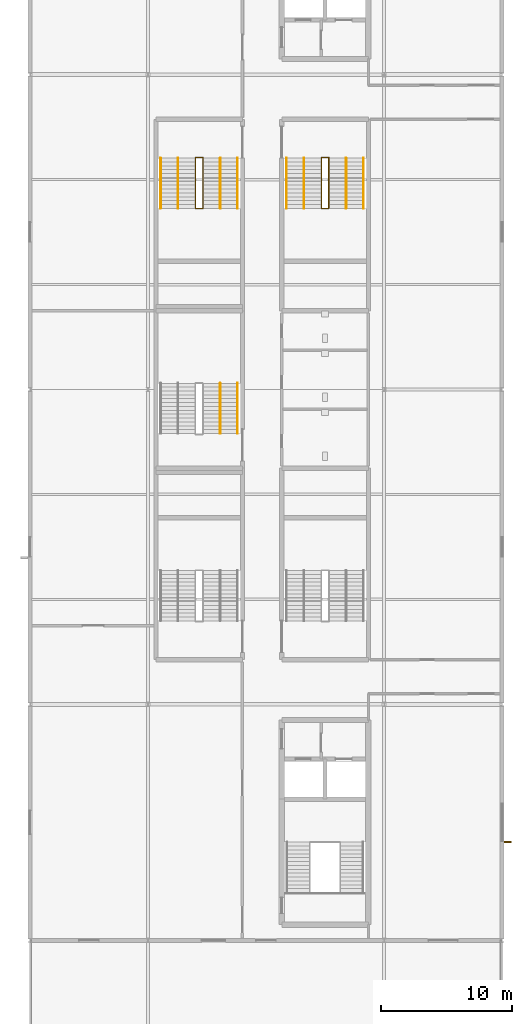
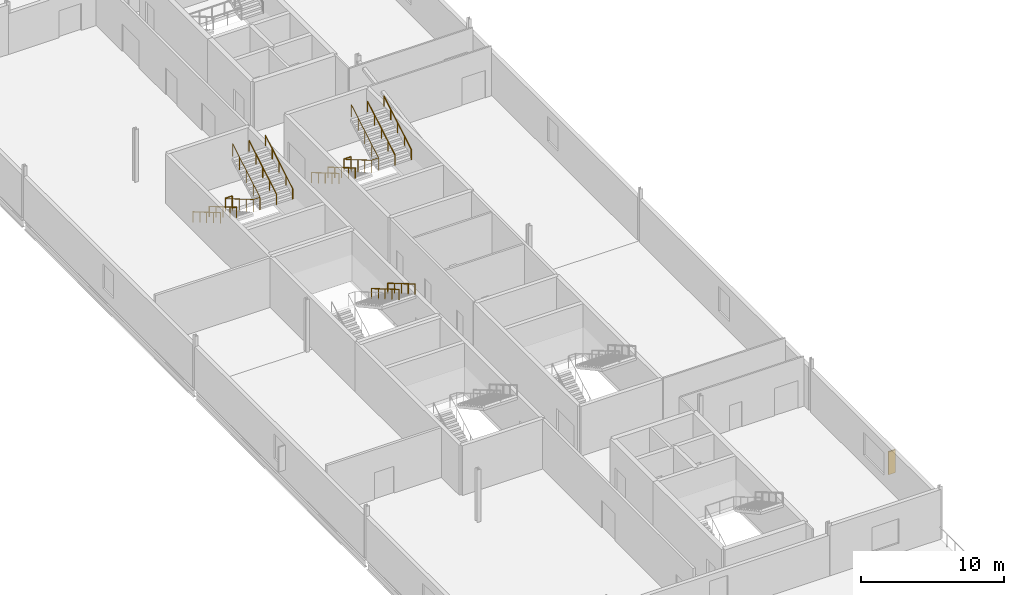
# One storey, part 26 of 28: 14 railings, 1 shading device.
"""IFC4 building model written with IfcOpenShell, lengths in metres."""

from ifc_helpers import new_model, si_unit, direction, frame, origin, origin_2d, place, context, subcontext, project, spatial, rectangle, circle, extrude, material, type_object, element, save


model = new_model("IFC4")

# Units and contexts
model_context = context("Model", 3, precision=1e-05, world=origin(), true_north=direction((0.0, 1.0)))
body_context = subcontext(model_context, "Body", "Model", "MODEL_VIEW")
ifc_project = project(units=[si_unit("LENGTHUNIT", "METRE"), si_unit("AREAUNIT", "SQUARE_METRE"), si_unit("VOLUMEUNIT", "CUBIC_METRE"), si_unit("PLANEANGLEUNIT", "RADIAN"), si_unit("MASSUNIT", "GRAM", prefix="KILO")], contexts=[model_context])

# Site, building, storey
site_placement = place(None, origin())
site = spatial("IfcSite", under=ifc_project, at=site_placement, CompositionType="ELEMENT")
building_placement = place(site_placement, origin())
building = spatial("IfcBuilding", under=site, at=building_placement, Name="Kisiwana Market Hall", CompositionType="ELEMENT")
storey_placement = place(building_placement, frame((0.0, 0.0, 49.5)))
storey = spatial("IfcBuildingStorey", under=building, at=storey_placement, Name="L11", CompositionType="ELEMENT", Elevation=49.5)

# Railings
ifc_material_1 = material(Name="Steel S275", Category="steel")
railing_type_1 = type_object("IfcRailingType", Name="RL-GUARD-1100", PredefinedType="GUARDRAIL", material=ifc_material_1)
railing_1_placement = place(storey_placement, frame((184.219970703125, 77.639892578125, 0.0)))
element("IfcRailing", 1, at=railing_1_placement, inside=storey, type_object=railing_type_1, Name="Stair ST-E4-L11 inner-well guardrail (RL-1393)", PredefinedType="GUARDRAIL", context=body_context, shape_type="SweptSolid", body=[
    extrude(circle(Radius=0.02392578125, at=origin_2d()), frame((0.0, 0.0, 1.076171875), z_axis=(0.0, -0.86250956776, 0.506040754805), x_axis=(1.0, 0.0, 0.0)), (0.0, 0.0, 1.0), 4.4462890625),
    extrude(circle(Radius=0.02392578125, at=origin_2d()), frame((0.0, -3.8349609375, 3.326171875), z_axis=(1.0, 0.0, 0.0), x_axis=(0.0, 1.0, 0.0)), (0.0, 0.0, 1.0), 0.56005859375),
    extrude(circle(Radius=0.02392578125, at=origin_2d()), frame((0.56005859375, -3.8349609375, 3.326171875), z_axis=(0.0, 0.86250956776, 0.506040754805), x_axis=(-1.0, 0.0, 0.0)), (0.0, 0.0, 1.0), 4.4462890625),
    extrude(circle(Radius=0.02099609375, at=origin_2d()), origin(), (0.0, 0.0, 1.0), 1.052001953125),
    extrude(circle(Radius=0.02099609375, at=origin_2d()), frame((0.0, -0.958740234375, 0.5625)), (0.0, 0.0, 1.0), 1.052001953125),
    extrude(circle(Radius=0.02099609375, at=origin_2d()), frame((0.0, -1.91748046875, 1.125)), (0.0, 0.0, 1.0), 1.052001953125),
    extrude(circle(Radius=0.02099609375, at=origin_2d()), frame((0.0, -2.876220703125, 1.6875)), (0.0, 0.0, 1.0), 1.052001953125),
    extrude(circle(Radius=0.02099609375, at=origin_2d()), frame((0.0, -3.8349609375, 2.25)), (0.0, 0.0, 1.0), 1.052001953125),
    extrude(circle(Radius=0.02099609375, at=origin_2d()), frame((0.56005859375, -3.8349609375, 2.25)), (0.0, 0.0, 1.0), 1.052001953125),
    extrude(circle(Radius=0.02099609375, at=origin_2d()), frame((0.56005859375, -2.876220703125, 2.8125)), (0.0, 0.0, 1.0), 1.052001953125),
    extrude(circle(Radius=0.02099609375, at=origin_2d()), frame((0.56005859375, -1.91748046875, 3.375)), (0.0, 0.0, 1.0), 1.052001953125),
    extrude(circle(Radius=0.02099609375, at=origin_2d()), frame((0.56005859375, -0.958740234375, 3.9375)), (0.0, 0.0, 1.0), 1.052001953125),
    extrude(circle(Radius=0.02099609375, at=origin_2d()), frame((0.56005859375, 0.0, 4.5)), (0.0, 0.0, 1.0), 1.052001953125),
])
railing_2_placement = place(storey_placement, frame((184.219970703125, 77.68994140625, 0.0)))
element("IfcRailing", 2, at=railing_2_placement, inside=storey, type_object=railing_type_1, Name="Stair ST-E4-L11 landing edge guardrail (RL-1398)", PredefinedType="GUARDRAIL", context=body_context, shape_type="SweptSolid", body=[
    extrude(circle(Radius=0.02392578125, at=origin_2d()), frame((0.0, 0.0, 1.076171875), z_axis=(1.0, 0.0, 0.0), x_axis=(0.0, 1.0, 0.0)), (0.0, 0.0, 1.0), 0.56005859375),
    extrude(circle(Radius=0.02099609375, at=origin_2d()), origin(), (0.0, 0.0, 1.0), 1.052001953125),
    extrude(circle(Radius=0.02099609375, at=origin_2d()), frame((0.56005859375, 0.0, 0.0)), (0.0, 0.0, 1.0), 1.052001953125),
])
railing_3_placement = place(storey_placement, frame((174.6201171875, 77.639892578125, 0.0)))
element("IfcRailing", 3, at=railing_3_placement, inside=storey, type_object=railing_type_1, Name="Stair ST-E8-L11 inner-well guardrail (RL-1417)", PredefinedType="GUARDRAIL", context=body_context, shape_type="SweptSolid", body=[
    extrude(circle(Radius=0.02392578125, at=origin_2d()), frame((0.0, 0.0, 1.076171875), z_axis=(0.0, -0.86250956776, 0.506040754805), x_axis=(1.0, 0.0, 0.0)), (0.0, 0.0, 1.0), 4.4462890625),
    extrude(circle(Radius=0.02392578125, at=origin_2d()), frame((0.0, -3.8349609375, 3.326171875), z_axis=(1.0, 0.0, 0.0), x_axis=(0.0, 1.0, 0.0)), (0.0, 0.0, 1.0), 0.559814453125),
    extrude(circle(Radius=0.02392578125, at=origin_2d()), frame((0.559814453125, -3.8349609375, 3.326171875), z_axis=(0.0, 0.86250956776, 0.506040754805), x_axis=(-1.0, 0.0, 0.0)), (0.0, 0.0, 1.0), 4.4462890625),
    extrude(circle(Radius=0.02099609375, at=origin_2d()), origin(), (0.0, 0.0, 1.0), 1.052001953125),
    extrude(circle(Radius=0.02099609375, at=origin_2d()), frame((0.0, -0.958740234375, 0.5625)), (0.0, 0.0, 1.0), 1.052001953125),
    extrude(circle(Radius=0.02099609375, at=origin_2d()), frame((0.0, -1.91748046875, 1.125)), (0.0, 0.0, 1.0), 1.052001953125),
    extrude(circle(Radius=0.02099609375, at=origin_2d()), frame((0.0, -2.876220703125, 1.6875)), (0.0, 0.0, 1.0), 1.052001953125),
    extrude(circle(Radius=0.02099609375, at=origin_2d()), frame((0.0, -3.8349609375, 2.25)), (0.0, 0.0, 1.0), 1.052001953125),
    extrude(circle(Radius=0.02099609375, at=origin_2d()), frame((0.559814453125, -3.8349609375, 2.25)), (0.0, 0.0, 1.0), 1.052001953125),
    extrude(circle(Radius=0.02099609375, at=origin_2d()), frame((0.559814453125, -2.876220703125, 2.8125)), (0.0, 0.0, 1.0), 1.052001953125),
    extrude(circle(Radius=0.02099609375, at=origin_2d()), frame((0.559814453125, -1.91748046875, 3.375)), (0.0, 0.0, 1.0), 1.052001953125),
    extrude(circle(Radius=0.02099609375, at=origin_2d()), frame((0.559814453125, -0.958740234375, 3.9375)), (0.0, 0.0, 1.0), 1.052001953125),
    extrude(circle(Radius=0.02099609375, at=origin_2d()), frame((0.559814453125, 0.0, 4.5)), (0.0, 0.0, 1.0), 1.052001953125),
])
railing_4_placement = place(storey_placement, frame((174.6201171875, 77.68994140625, 0.0)))
element("IfcRailing", 4, at=railing_4_placement, inside=storey, type_object=railing_type_1, Name="Stair ST-E8-L11 landing edge guardrail (RL-1422)", PredefinedType="GUARDRAIL", context=body_context, shape_type="SweptSolid", body=[
    extrude(circle(Radius=0.02392578125, at=origin_2d()), frame((0.0, 0.0, 1.076171875), z_axis=(1.0, 0.0, 0.0), x_axis=(0.0, 1.0, 0.0)), (0.0, 0.0, 1.0), 0.559814453125),
    extrude(circle(Radius=0.02099609375, at=origin_2d()), origin(), (0.0, 0.0, 1.0), 1.052001953125),
    extrude(circle(Radius=0.02099609375, at=origin_2d()), frame((0.559814453125, 0.0, 0.0)), (0.0, 0.0, 1.0), 1.052001953125),
])
ifc_material_2 = material(Name="Steel S275", Category="steel")
railing_type_2 = type_object("IfcRailingType", Name="RL-HAND-900", PredefinedType="HANDRAIL", material=ifc_material_2)
railing_5_placement = place(storey_placement, frame((181.570068359375, 77.639892578125, 0.0)))
element("IfcRailing", 5, at=railing_5_placement, inside=storey, type_object=railing_type_2, Name="Stair ST-E4-L11 flight 1 handrail (RL-1394)", PredefinedType="HANDRAIL", context=body_context, shape_type="SweptSolid", body=[
    extrude(circle(Radius=0.02392578125, at=origin_2d()), frame((0.0, 0.0, 0.8759765625), z_axis=(0.0, -0.86250956776, 0.506040754805), x_axis=(1.0, 0.0, 0.0)), (0.0, 0.0, 1.0), 4.4462890625),
    extrude(circle(Radius=0.02099609375, at=origin_2d()), origin(), (0.0, 0.0, 1.0), 0.851806640625),
    extrude(circle(Radius=0.02099609375, at=origin_2d()), frame((0.0, -0.958740234375, 0.5625)), (0.0, 0.0, 1.0), 0.851806640625),
    extrude(circle(Radius=0.02099609375, at=origin_2d()), frame((0.0, -1.91748046875, 1.125)), (0.0, 0.0, 1.0), 0.851806640625),
    extrude(circle(Radius=0.02099609375, at=origin_2d()), frame((0.0, -2.876220703125, 1.6875)), (0.0, 0.0, 1.0), 0.851806640625),
    extrude(circle(Radius=0.02099609375, at=origin_2d()), frame((0.0, -3.8349609375, 2.25)), (0.0, 0.0, 1.0), 0.851806640625),
])
railing_6_placement = place(storey_placement, frame((187.429931640625, 73.804931640625, 2.25)))
element("IfcRailing", 6, at=railing_6_placement, inside=storey, type_object=railing_type_2, Name="Stair ST-E4-L11 flight 2 handrail (RL-1395)", PredefinedType="HANDRAIL", context=body_context, shape_type="SweptSolid", body=[
    extrude(circle(Radius=0.02392578125, at=origin_2d()), frame((0.0, 0.0, 0.8759765625), z_axis=(0.0, 0.86250956776, 0.506040754805), x_axis=(-1.0, 0.0, 0.0)), (0.0, 0.0, 1.0), 4.4462890625),
    extrude(circle(Radius=0.02099609375, at=origin_2d()), origin(), (0.0, 0.0, 1.0), 0.851806640625),
    extrude(circle(Radius=0.02099609375, at=origin_2d()), frame((0.0, 0.958740234375, 0.5625)), (0.0, 0.0, 1.0), 0.851806640625),
    extrude(circle(Radius=0.02099609375, at=origin_2d()), frame((0.0, 1.91748046875, 1.125)), (0.0, 0.0, 1.0), 0.851806640625),
    extrude(circle(Radius=0.02099609375, at=origin_2d()), frame((0.0, 2.876220703125, 1.6875)), (0.0, 0.0, 1.0), 0.851806640625),
    extrude(circle(Radius=0.02099609375, at=origin_2d()), frame((0.0, 3.8349609375, 2.25)), (0.0, 0.0, 1.0), 0.851806640625),
])
railing_7_placement = place(storey_placement, frame((182.889892578125, 77.639892578125, 0.0)))
element("IfcRailing", 7, at=railing_7_placement, inside=storey, type_object=railing_type_2, Name="Stair ST-E4-L11 flight 1 intermediate handrail (RL-1396)", PredefinedType="HANDRAIL", context=body_context, shape_type="SweptSolid", body=[
    extrude(circle(Radius=0.02392578125, at=origin_2d()), frame((0.0, 0.0, 0.8759765625), z_axis=(0.0, -0.86250956776, 0.506040754805), x_axis=(1.0, 0.0, 0.0)), (0.0, 0.0, 1.0), 4.4462890625),
    extrude(circle(Radius=0.02099609375, at=origin_2d()), origin(), (0.0, 0.0, 1.0), 0.851806640625),
    extrude(circle(Radius=0.02099609375, at=origin_2d()), frame((0.0, -0.958740234375, 0.5625)), (0.0, 0.0, 1.0), 0.851806640625),
    extrude(circle(Radius=0.02099609375, at=origin_2d()), frame((0.0, -1.91748046875, 1.125)), (0.0, 0.0, 1.0), 0.851806640625),
    extrude(circle(Radius=0.02099609375, at=origin_2d()), frame((0.0, -2.876220703125, 1.6875)), (0.0, 0.0, 1.0), 0.851806640625),
    extrude(circle(Radius=0.02099609375, at=origin_2d()), frame((0.0, -3.8349609375, 2.25)), (0.0, 0.0, 1.0), 0.851806640625),
])
railing_8_placement = place(storey_placement, frame((186.110107421875, 73.804931640625, 2.25)))
element("IfcRailing", 8, at=railing_8_placement, inside=storey, type_object=railing_type_2, Name="Stair ST-E4-L11 flight 2 intermediate handrail (RL-1397)", PredefinedType="HANDRAIL", context=body_context, shape_type="SweptSolid", body=[
    extrude(circle(Radius=0.02392578125, at=origin_2d()), frame((0.0, 0.0, 0.8759765625), z_axis=(0.0, 0.86250956776, 0.506040754805), x_axis=(-1.0, 0.0, 0.0)), (0.0, 0.0, 1.0), 4.4462890625),
    extrude(circle(Radius=0.02099609375, at=origin_2d()), origin(), (0.0, 0.0, 1.0), 0.851806640625),
    extrude(circle(Radius=0.02099609375, at=origin_2d()), frame((0.0, 0.958740234375, 0.5625)), (0.0, 0.0, 1.0), 0.851806640625),
    extrude(circle(Radius=0.02099609375, at=origin_2d()), frame((0.0, 1.91748046875, 1.125)), (0.0, 0.0, 1.0), 0.851806640625),
    extrude(circle(Radius=0.02099609375, at=origin_2d()), frame((0.0, 2.876220703125, 1.6875)), (0.0, 0.0, 1.0), 0.851806640625),
    extrude(circle(Radius=0.02099609375, at=origin_2d()), frame((0.0, 3.8349609375, 2.25)), (0.0, 0.0, 1.0), 0.851806640625),
])
railing_9_placement = place(storey_placement, frame((171.969970703125, 77.639892578125, 0.0)))
element("IfcRailing", 9, at=railing_9_placement, inside=storey, type_object=railing_type_2, Name="Stair ST-E8-L11 flight 1 handrail (RL-1418)", PredefinedType="HANDRAIL", context=body_context, shape_type="SweptSolid", body=[
    extrude(circle(Radius=0.02392578125, at=origin_2d()), frame((0.0, 0.0, 0.8759765625), z_axis=(0.0, -0.86250956776, 0.506040754805), x_axis=(1.0, 0.0, 0.0)), (0.0, 0.0, 1.0), 4.4462890625),
    extrude(circle(Radius=0.02099609375, at=origin_2d()), origin(), (0.0, 0.0, 1.0), 0.851806640625),
    extrude(circle(Radius=0.02099609375, at=origin_2d()), frame((0.0, -0.958740234375, 0.5625)), (0.0, 0.0, 1.0), 0.851806640625),
    extrude(circle(Radius=0.02099609375, at=origin_2d()), frame((0.0, -1.91748046875, 1.125)), (0.0, 0.0, 1.0), 0.851806640625),
    extrude(circle(Radius=0.02099609375, at=origin_2d()), frame((0.0, -2.876220703125, 1.6875)), (0.0, 0.0, 1.0), 0.851806640625),
    extrude(circle(Radius=0.02099609375, at=origin_2d()), frame((0.0, -3.8349609375, 2.25)), (0.0, 0.0, 1.0), 0.851806640625),
])
railing_10_placement = place(storey_placement, frame((177.830078125, 73.804931640625, 2.25)))
element("IfcRailing", 10, at=railing_10_placement, inside=storey, type_object=railing_type_2, Name="Stair ST-E8-L11 flight 2 handrail (RL-1419)", PredefinedType="HANDRAIL", context=body_context, shape_type="SweptSolid", body=[
    extrude(circle(Radius=0.02392578125, at=origin_2d()), frame((0.0, 0.0, 0.8759765625), z_axis=(0.0, 0.86250956776, 0.506040754805), x_axis=(-1.0, 0.0, 0.0)), (0.0, 0.0, 1.0), 4.4462890625),
    extrude(circle(Radius=0.02099609375, at=origin_2d()), origin(), (0.0, 0.0, 1.0), 0.851806640625),
    extrude(circle(Radius=0.02099609375, at=origin_2d()), frame((0.0, 0.958740234375, 0.5625)), (0.0, 0.0, 1.0), 0.851806640625),
    extrude(circle(Radius=0.02099609375, at=origin_2d()), frame((0.0, 1.91748046875, 1.125)), (0.0, 0.0, 1.0), 0.851806640625),
    extrude(circle(Radius=0.02099609375, at=origin_2d()), frame((0.0, 2.876220703125, 1.6875)), (0.0, 0.0, 1.0), 0.851806640625),
    extrude(circle(Radius=0.02099609375, at=origin_2d()), frame((0.0, 3.8349609375, 2.25)), (0.0, 0.0, 1.0), 0.851806640625),
])
railing_11_placement = place(storey_placement, frame((173.2900390625, 77.639892578125, 0.0)))
element("IfcRailing", 11, at=railing_11_placement, inside=storey, type_object=railing_type_2, Name="Stair ST-E8-L11 flight 1 intermediate handrail (RL-1420)", PredefinedType="HANDRAIL", context=body_context, shape_type="SweptSolid", body=[
    extrude(circle(Radius=0.02392578125, at=origin_2d()), frame((0.0, 0.0, 0.8759765625), z_axis=(0.0, -0.86250956776, 0.506040754805), x_axis=(1.0, 0.0, 0.0)), (0.0, 0.0, 1.0), 4.4462890625),
    extrude(circle(Radius=0.02099609375, at=origin_2d()), origin(), (0.0, 0.0, 1.0), 0.851806640625),
    extrude(circle(Radius=0.02099609375, at=origin_2d()), frame((0.0, -0.958740234375, 0.5625)), (0.0, 0.0, 1.0), 0.851806640625),
    extrude(circle(Radius=0.02099609375, at=origin_2d()), frame((0.0, -1.91748046875, 1.125)), (0.0, 0.0, 1.0), 0.851806640625),
    extrude(circle(Radius=0.02099609375, at=origin_2d()), frame((0.0, -2.876220703125, 1.6875)), (0.0, 0.0, 1.0), 0.851806640625),
    extrude(circle(Radius=0.02099609375, at=origin_2d()), frame((0.0, -3.8349609375, 2.25)), (0.0, 0.0, 1.0), 0.851806640625),
])
railing_12_placement = place(storey_placement, frame((176.510009765625, 73.804931640625, 2.25)))
element("IfcRailing", 12, at=railing_12_placement, inside=storey, type_object=railing_type_2, Name="Stair ST-E8-L11 flight 2 intermediate handrail (RL-1421)", PredefinedType="HANDRAIL", context=body_context, shape_type="SweptSolid", body=[
    extrude(circle(Radius=0.02392578125, at=origin_2d()), frame((0.0, 0.0, 0.8759765625), z_axis=(0.0, 0.86250956776, 0.506040754805), x_axis=(-1.0, 0.0, 0.0)), (0.0, 0.0, 1.0), 4.4462890625),
    extrude(circle(Radius=0.02099609375, at=origin_2d()), origin(), (0.0, 0.0, 1.0), 0.851806640625),
    extrude(circle(Radius=0.02099609375, at=origin_2d()), frame((0.0, 0.958740234375, 0.5625)), (0.0, 0.0, 1.0), 0.851806640625),
    extrude(circle(Radius=0.02099609375, at=origin_2d()), frame((0.0, 1.91748046875, 1.125)), (0.0, 0.0, 1.0), 0.851806640625),
    extrude(circle(Radius=0.02099609375, at=origin_2d()), frame((0.0, 2.876220703125, 1.6875)), (0.0, 0.0, 1.0), 0.851806640625),
    extrude(circle(Radius=0.02099609375, at=origin_2d()), frame((0.0, 3.8349609375, 2.25)), (0.0, 0.0, 1.0), 0.851806640625),
])
for number, where, name in (
    (13, (177.830078125, 60.47509765625, 2.25), "Stair ST-E5-L11 flight 2 handrail (RL-1431)"),
    (14, (176.510009765625, 60.47509765625, 2.25), "Stair ST-E5-L11 flight 2 intermediate handrail (RL-1433)"),
):
    element("IfcRailing", number, at=place(storey_placement, frame(where)), inside=storey, type_object=railing_type_2, Name=name, PredefinedType="HANDRAIL", context=body_context, shape_type="SweptSolid", body=[
        extrude(circle(Radius=0.02392578125, at=origin_2d()), frame((0.0, 0.0, 0.8759765625), z_axis=(0.0, -0.86252362769, 0.506016789916), x_axis=(1.0, 0.0, 0.0)), (0.0, 0.0, 1.0), 4.446533203125),
        extrude(circle(Radius=0.02099609375, at=origin_2d()), origin(), (0.0, 0.0, 1.0), 0.851806640625),
        extrude(circle(Radius=0.02099609375, at=origin_2d()), frame((0.0, -0.958740234375, 0.5625)), (0.0, 0.0, 1.0), 0.851806640625),
        extrude(circle(Radius=0.02099609375, at=origin_2d()), frame((0.0, -1.91748046875, 1.125)), (0.0, 0.0, 1.0), 0.851806640625),
        extrude(circle(Radius=0.02099609375, at=origin_2d()), frame((0.0, -2.87646484375, 1.6875)), (0.0, 0.0, 1.0), 0.851806640625),
        extrude(circle(Radius=0.02099609375, at=origin_2d()), frame((0.0, -3.835205078125, 2.25)), (0.0, 0.0, 1.0), 0.851806640625),
    ])

# Shading device
ifc_material_3 = material(Name="Aluminium alloy 6063-T6", Category="aluminium")
shading_device_type = type_object("IfcShadingDeviceType", Name="SHD-SHUTTER-V", PredefinedType="SHUTTER", material=ifc_material_3)
shading_device_placement = place(storey_placement, frame((198.4326171875, 25.4951171875, 0.85009765625), z_axis=(0.0, 0.0, 1.0), x_axis=(0.0, 1.0, 0.0)))
element("IfcShadingDevice", 15, at=shading_device_placement, inside=storey, type_object=shading_device_type, Name="Vertical solar fin SHD-209 SD-208", PredefinedType="SHUTTER", context=body_context, shape_type="SweptSolid", body=[
    extrude(rectangle(XDim=0.1201171875, YDim=0.550048828125, at=origin_2d()), origin(), (0.0, 0.0, 1.0), 1.949951171875),
])

save(model, "model.ifc")
